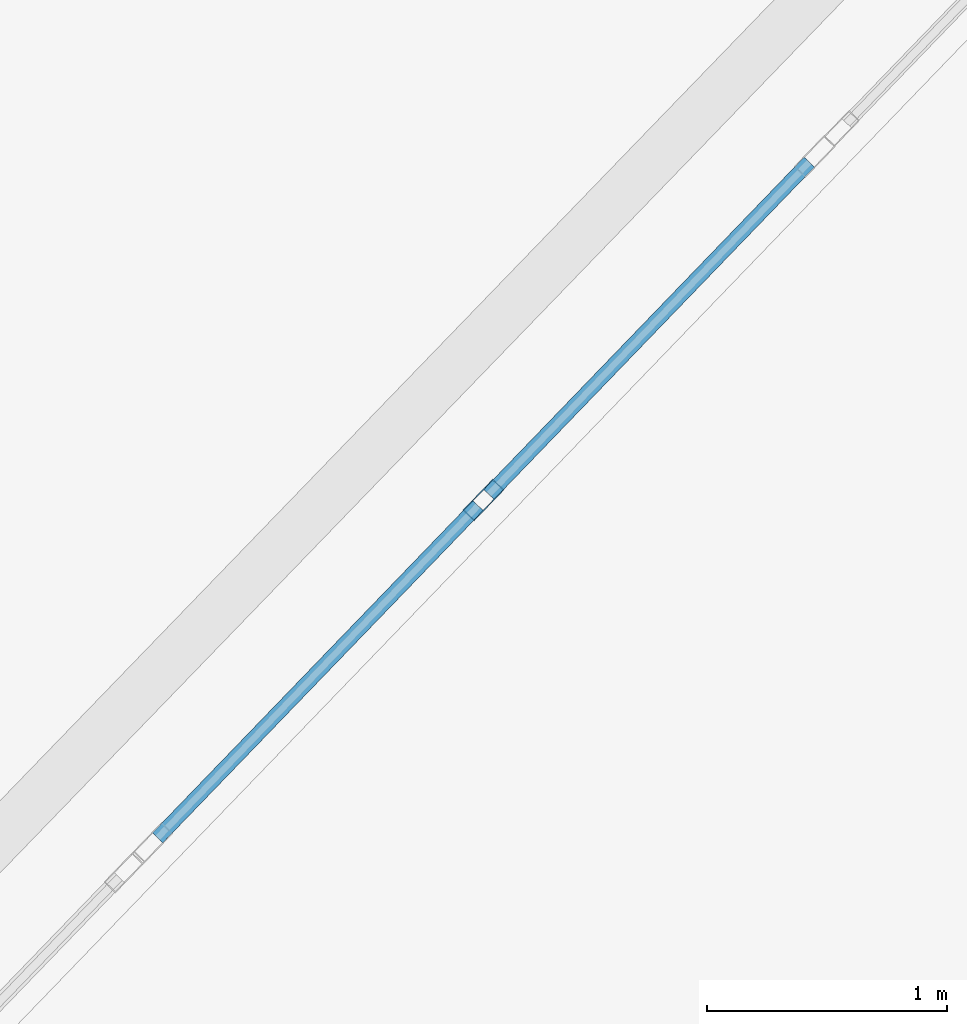
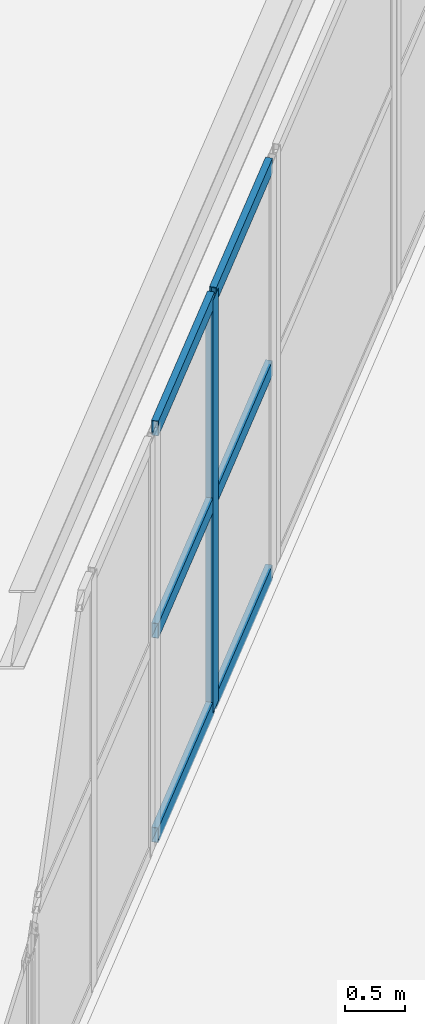
# One storey, part 82 of 126: 7 members, 1 element without a shape of its own.
"""IFC4 building model written with IfcOpenShell, lengths in metres."""

from ifc_helpers import new_model, si_unit, direction, frame, origin, origin_2d, place, context, subcontext, project, spatial, hollow_rectangle, extrude, material, layer, layer_set, material_profile, profile_set, type_object, element, aggregate, save


model = new_model("IFC4")

# Units and contexts
model_context = context("Model", 3, precision=1e-05, world=origin(), true_north=direction((0.0, 1.0)))
body_context = subcontext(model_context, "Body", "Model", "MODEL_VIEW")
ifc_project = project(units=[si_unit("LENGTHUNIT", "METRE"), si_unit("AREAUNIT", "SQUARE_METRE"), si_unit("VOLUMEUNIT", "CUBIC_METRE"), si_unit("PLANEANGLEUNIT", "RADIAN"), si_unit("MASSUNIT", "GRAM", prefix="KILO")], contexts=[model_context])

# Site, building, storey
site_placement = place(None, origin())
site = spatial("IfcSite", under=ifc_project, at=site_placement, CompositionType="ELEMENT")
building_placement = place(site_placement, origin())
building = spatial("IfcBuilding", under=site, at=building_placement, Name="Kalgoora Escarpment Arena", CompositionType="ELEMENT")
storey_placement = place(building_placement, frame((0.0, 0.0, 18.89990234375)))
storey = spatial("IfcBuildingStorey", under=building, at=storey_placement, Name="L04", CompositionType="ELEMENT", Elevation=18.89990234375)

# Curtain wall, members
ifc_material_1 = material(Name=" Champagne anodised aluminium & double-glazed low-E", Category="aluminium")
ifc_layer = layer(ifc_material_1, 0.154052734375)
ifc_layer_set = layer_set([ifc_layer], Name="CW-UNIT-01")
curtain_wall_type = type_object("IfcCurtainWallType", Name="CW-UNIT-01", PredefinedType="NOTDEFINED", material=ifc_layer_set)
curtain_wall_placement = place(storey_placement, origin())
curtain_wall = element("IfcCurtainWall", 1, at=curtain_wall_placement, inside=storey, type_object=curtain_wall_type, Name="L04 unitised facade curtain wall 100", PredefinedType="NOTDEFINED")
ifc_material_2 = material(Name="Anodised aluminium 6063-T6", Category="aluminium")
ifc_material_profile_1 = material_profile(ifc_material_2, hollow_rectangle(XDim=0.06494140625, YDim=0.179931640625, WallThickness=0.00390625, at=origin_2d()))
ifc_profile_set_1 = profile_set([ifc_material_profile_1], Name="Anodised aluminium 6063-T6")
member_type_1 = type_object("IfcMemberType", Name="MEM-CW-MULL-180", PredefinedType="MULLION", material=ifc_profile_set_1)
member_1_placement = place(storey_placement, frame((147.82275390625, 27.827392578125, 0.02001953125), z_axis=(0.0, 0.0, 1.0), x_axis=(0.719777208849, -0.694205135116, 0.0)))
member_1 = element("IfcMember", 2, at=member_1_placement, type_object=member_type_1, Name="CW-01 mullion 2", PredefinedType="MULLION", context=body_context, shape_type="SweptSolid", body=[
    extrude(hollow_rectangle(XDim=0.06494140625, YDim=0.179931640625, WallThickness=0.00390625, at=origin_2d()), origin(), (0.0, 0.0, 1.0), 4.170166015625),
])
ifc_material_3 = material(Name="Anodised aluminium 6063-T6", Category="aluminium")
ifc_material_profile_2 = material_profile(ifc_material_3, hollow_rectangle(XDim=0.06005859375, YDim=0.14990234375, WallThickness=0.00341796875, at=origin_2d()))
ifc_profile_set_2 = profile_set([ifc_material_profile_2], Name="Anodised aluminium 6063-T6")
member_type_2 = type_object("IfcMemberType", Name="MEM-CW-TRAN-150", PredefinedType="USERDEFINED", material=ifc_profile_set_2)
member_2_placement = place(storey_placement, frame((149.18115234375, 29.23583984375, 0.050048828125), z_axis=(-0.694175487683, -0.719805801796, 0.0), x_axis=(0.719805801796, -0.694175487683, 0.0)))
member_2 = element("IfcMember", 3, at=member_2_placement, type_object=member_type_2, Name="CW-01 transom 1.1", ObjectType="TRANSOM", PredefinedType="USERDEFINED", context=body_context, shape_type="SweptSolid", body=[
    extrude(hollow_rectangle(XDim=0.06005859375, YDim=0.14990234375, WallThickness=0.00341796875, at=origin_2d()), origin(), (0.0, 0.0, 1.0), 1.924072265625),
])
member_3_placement = place(storey_placement, frame((149.18115234375, 29.23583984375, 2.114990234375), z_axis=(-0.694175487683, -0.719805801796, 0.0), x_axis=(0.719805801796, -0.694175487683, 0.0)))
member_3 = element("IfcMember", 4, at=member_3_placement, type_object=member_type_2, Name="CW-01 transom 1.2", ObjectType="TRANSOM", PredefinedType="USERDEFINED", context=body_context, shape_type="SweptSolid", body=[
    extrude(hollow_rectangle(XDim=0.06005859375, YDim=0.14990234375, WallThickness=0.00341796875, at=origin_2d()), origin(), (0.0, 0.0, 1.0), 1.924072265625),
])
member_4_placement = place(storey_placement, frame((149.18115234375, 29.23583984375, 4.16015625), z_axis=(-0.694175487683, -0.719805801796, 0.0), x_axis=(0.719805801796, -0.694175487683, 0.0)))
member_4 = element("IfcMember", 5, at=member_4_placement, type_object=member_type_2, Name="CW-01 transom 1.3", ObjectType="TRANSOM", PredefinedType="USERDEFINED", context=body_context, shape_type="SweptSolid", body=[
    extrude(hollow_rectangle(XDim=0.06005859375, YDim=0.14990234375, WallThickness=0.00341796875, at=origin_2d()), origin(), (0.0, 0.0, 1.0), 1.924072265625),
])
member_5_placement = place(storey_placement, frame((147.80029296875, 27.803955078125, 0.050048828125), z_axis=(-0.694241219535, -0.719742404683, 0.0), x_axis=(0.719742404683, -0.694241219535, 0.0)))
member_5 = element("IfcMember", 6, at=member_5_placement, type_object=member_type_2, Name="CW-01 transom 2.1", ObjectType="TRANSOM", PredefinedType="USERDEFINED", context=body_context, shape_type="SweptSolid", body=[
    extrude(hollow_rectangle(XDim=0.06005859375, YDim=0.14990234375, WallThickness=0.00341796875, at=origin_2d()), origin(), (0.0, 0.0, 1.0), 1.92431640625),
])
member_6_placement = place(storey_placement, frame((147.80029296875, 27.803955078125, 2.114990234375), z_axis=(-0.694241219535, -0.719742404683, 0.0), x_axis=(0.719742404683, -0.694241219535, 0.0)))
member_6 = element("IfcMember", 7, at=member_6_placement, type_object=member_type_2, Name="CW-01 transom 2.2", ObjectType="TRANSOM", PredefinedType="USERDEFINED", context=body_context, shape_type="SweptSolid", body=[
    extrude(hollow_rectangle(XDim=0.06005859375, YDim=0.14990234375, WallThickness=0.00341796875, at=origin_2d()), origin(), (0.0, 0.0, 1.0), 1.92431640625),
])
member_7_placement = place(storey_placement, frame((147.80029296875, 27.803955078125, 4.16015625), z_axis=(-0.694241219535, -0.719742404683, 0.0), x_axis=(0.719742404683, -0.694241219535, 0.0)))
member_7 = element("IfcMember", 8, at=member_7_placement, type_object=member_type_2, Name="CW-01 transom 2.3", ObjectType="TRANSOM", PredefinedType="USERDEFINED", context=body_context, shape_type="SweptSolid", body=[
    extrude(hollow_rectangle(XDim=0.06005859375, YDim=0.14990234375, WallThickness=0.00341796875, at=origin_2d()), origin(), (0.0, 0.0, 1.0), 1.92431640625),
])
aggregate(curtain_wall, [member_1, member_2, member_3, member_4, member_5, member_6, member_7])

save(model, "model.ifc")
